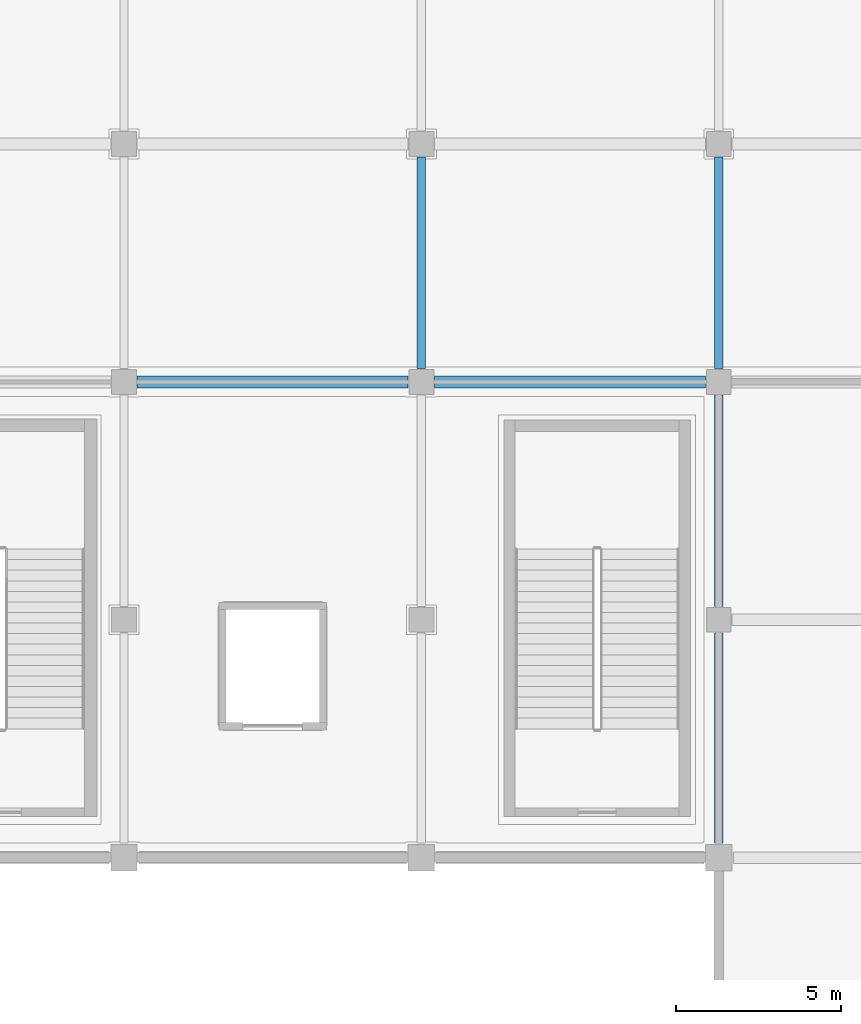
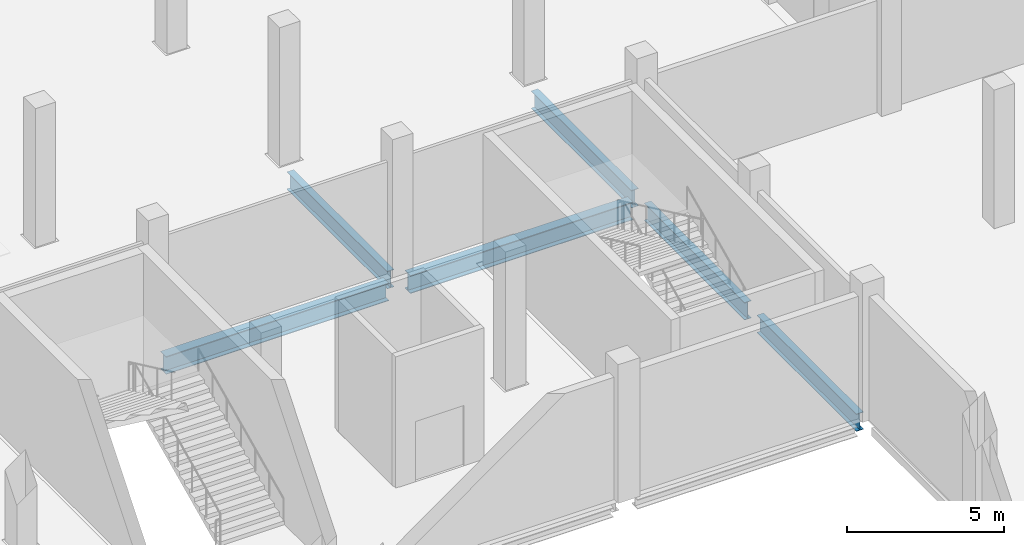
# One storey, part 41 of 189: 6 beams.
"""IFC4 building model written with IfcOpenShell, lengths in metres."""

from ifc_helpers import new_model, si_unit, direction, frame, origin, origin_2d, place, context, subcontext, project, spatial, i_section, extrude, material, material_profile, profile_set, type_object, element, save


model = new_model("IFC4")

# Units and contexts
model_context = context("Model", 3, precision=1e-05, world=origin(), true_north=direction((0.0, 1.0)))
body_context = subcontext(model_context, "Body", "Model", "MODEL_VIEW")
ifc_project = project(units=[si_unit("LENGTHUNIT", "METRE"), si_unit("AREAUNIT", "SQUARE_METRE"), si_unit("VOLUMEUNIT", "CUBIC_METRE"), si_unit("PLANEANGLEUNIT", "RADIAN"), si_unit("MASSUNIT", "GRAM", prefix="KILO")], contexts=[model_context])

# Site, building, storey
site_placement = place(None, origin())
site = spatial("IfcSite", under=ifc_project, at=site_placement, CompositionType="ELEMENT")
building_placement = place(site_placement, origin())
building = spatial("IfcBuilding", under=site, at=building_placement, Name="Celestram Park Convention Centre", CompositionType="ELEMENT")
storey_placement = place(building_placement, frame((0.0, 0.0, 5.39990234375)))
storey = spatial("IfcBuildingStorey", under=building, at=storey_placement, Name="L01", CompositionType="ELEMENT", Elevation=5.39990234375)

# Beams
ifc_material = material(Name="Steel ASTM A992 Grade 50", Category="steel")
ifc_material_profile_1 = material_profile(ifc_material, i_section(OverallWidth=0.35595703125, OverallDepth=0.696044921875, WebThickness=0.015380859375, FlangeThickness=0.02490234375, at=origin_2d()), Name="W27X146")
ifc_profile_set_1 = profile_set([ifc_material_profile_1], Name="Steel ASTM A992 Grade 50")
beam_type_1 = type_object("IfcBeamType", Name="STR-BM-W27X146", PredefinedType="BEAM", material=ifc_profile_set_1)
for number, where, z_axis, x_axis, name in (
    (1, (108.39794921875, 122.39990234375, -0.6279296875), (1.0, 0.0, 0.0), (0.0, 1.0, 0.0), "Primary X-girder BG-L01-0218"),
    (2, (117.39794921875, 122.39990234375, -0.6279296875), (1.0, 0.0, 0.0), (0.0, 1.0, 0.0), "Primary X-girder BG-L01-0235"),
):
    element("IfcBeam", number, at=place(storey_placement, frame(where, z_axis=z_axis, x_axis=x_axis)), inside=storey, type_object=beam_type_1, Name=name, PredefinedType="BEAM", context=body_context, shape_type="SweptSolid", body=[
        extrude(i_section(OverallWidth=0.35595703125, OverallDepth=0.696044921875, WebThickness=0.015380859375, FlangeThickness=0.02490234375, at=origin_2d()), origin(), (0.0, 0.0, 1.0), 8.2041015625),
    ])
ifc_material_profile_2 = material_profile(ifc_material, i_section(OverallWidth=0.25390625, OverallDepth=0.68310546875, WebThickness=0.012451171875, FlangeThickness=0.01904296875, at=origin_2d()), Name="W27X94")
ifc_profile_set_2 = profile_set([ifc_material_profile_2], Name="Steel ASTM A992 Grade 50")
beam_type_2 = type_object("IfcBeamType", Name="STR-BM-W27X94", PredefinedType="BEAM", material=ifc_profile_set_2)
beam_1_placement = place(storey_placement, frame((117.0, 122.798095703125, -0.621337890625), z_axis=(0.0, 1.0, 0.0), x_axis=(-1.0, 0.0, 0.0)))
element("IfcBeam", 3, at=beam_1_placement, inside=storey, type_object=beam_type_2, Name="Primary Y-girder BG-L01-0236", PredefinedType="BEAM", context=body_context, shape_type="SweptSolid", body=[
    extrude(i_section(OverallWidth=0.25390625, OverallDepth=0.68310546875, WebThickness=0.012451171875, FlangeThickness=0.01904296875, at=origin_2d()), origin(), (0.0, 0.0, 1.0), 6.40380859375),
])
beam_2_placement = place(storey_placement, frame((126.0, 108.447998046875, -0.621337890625), z_axis=(0.0, 1.0, 0.0), x_axis=(-1.0, 0.0, 0.0)))
element("IfcBeam", 4, at=beam_2_placement, inside=storey, type_object=beam_type_2, Name="Primary Y-girder BG-L01-0272", PredefinedType="BEAM", context=body_context, shape_type="SweptSolid", body=[
    extrude(i_section(OverallWidth=0.25390625, OverallDepth=0.68310546875, WebThickness=0.012451171875, FlangeThickness=0.01904296875, at=origin_2d()), origin(), (0.0, 0.0, 1.0), 6.35400390625),
])
beam_3_placement = place(storey_placement, frame((126.0, 115.597900390625, -0.621337890625), z_axis=(0.0, 1.0, 0.0), x_axis=(-1.0, 0.0, 0.0)))
element("IfcBeam", 5, at=beam_3_placement, inside=storey, type_object=beam_type_2, Name="Primary Y-girder BG-L01-0274", PredefinedType="BEAM", context=body_context, shape_type="SweptSolid", body=[
    extrude(i_section(OverallWidth=0.25390625, OverallDepth=0.68310546875, WebThickness=0.012451171875, FlangeThickness=0.01904296875, at=origin_2d()), origin(), (0.0, 0.0, 1.0), 6.404052734375),
])
beam_4_placement = place(storey_placement, frame((126.0, 122.798095703125, -0.621337890625), z_axis=(0.0, 1.0, 0.0), x_axis=(-1.0, 0.0, 0.0)))
element("IfcBeam", 6, at=beam_4_placement, inside=storey, type_object=beam_type_2, Name="Primary Y-girder BG-L01-0276", PredefinedType="BEAM", context=body_context, shape_type="SweptSolid", body=[
    extrude(i_section(OverallWidth=0.25390625, OverallDepth=0.68310546875, WebThickness=0.012451171875, FlangeThickness=0.01904296875, at=origin_2d()), origin(), (0.0, 0.0, 1.0), 6.40380859375),
])

save(model, "model.ifc")
